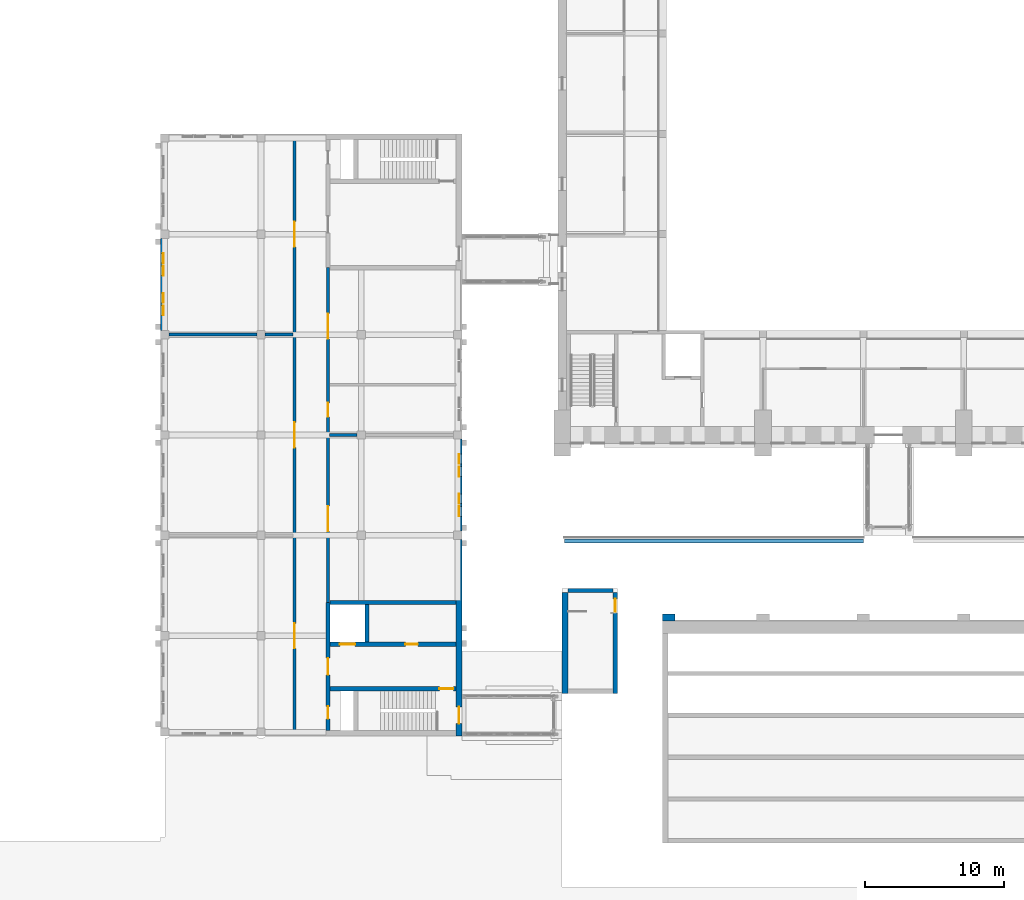
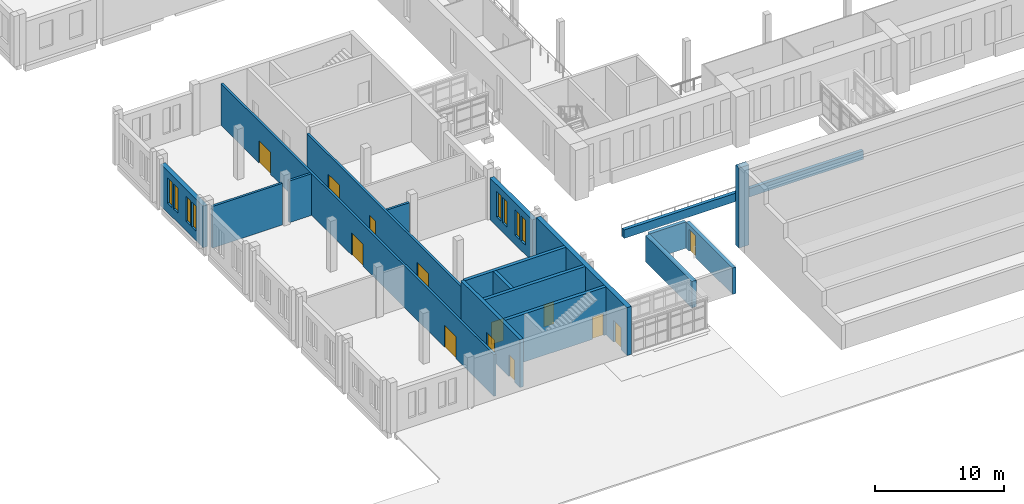
# One storey, part 76 of 131: 18 walls, 13 doors, 8 windows, 21 openings.
"""IFC4 building model written with IfcOpenShell, lengths in metres."""

from ifc_helpers import new_model, si_unit, direction, frame, frame_2d, origin, place, context, subcontext, project, spatial, rectangle, extrude, material, layer, layer_set, type_object, element, fill, save


model = new_model("IFC4")

# Units and contexts
model_context = context("Model", 3, precision=1e-05, world=origin(), true_north=direction((0.0, 1.0)))
body_context = subcontext(model_context, "Body", "Model", "MODEL_VIEW")
ifc_project = project(units=[si_unit("LENGTHUNIT", "METRE"), si_unit("AREAUNIT", "SQUARE_METRE"), si_unit("VOLUMEUNIT", "CUBIC_METRE"), si_unit("PLANEANGLEUNIT", "RADIAN"), si_unit("MASSUNIT", "GRAM", prefix="KILO")], contexts=[model_context])

# Site, building, storey
site_placement = place(None, origin())
site = spatial("IfcSite", under=ifc_project, at=site_placement, CompositionType="ELEMENT")
building_placement = place(site_placement, origin())
building = spatial("IfcBuilding", under=site, at=building_placement, Name="Alderwick Market Hall", CompositionType="ELEMENT")
storey_placement = place(building_placement, frame((0.0, 0.0, 4.800048828125)))
storey = spatial("IfcBuildingStorey", under=building, at=storey_placement, Name="L00", CompositionType="ELEMENT", Elevation=4.800048828125)

# Walls
ifc_material_1 = material(Name="Cast stone 5000 psi", Category="masonry")
ifc_layer_1 = layer(ifc_material_1, 0.300048828125)
ifc_layer_set_1 = layer_set([ifc_layer_1], Name="Cast stone 5000 psi")
wall_type_1 = type_object("IfcWallType", Name="A Cast Stone Balustrade Parapet 300", PredefinedType="SOLIDWALL", material=ifc_layer_set_1)
wall_1_placement = place(storey_placement, frame((50.550048828125, 42.800048828125, 0.0), z_axis=(0.0, 0.0, 1.0), x_axis=(1.0, 0.0, 0.0)))
element("IfcWall", 1, at=wall_1_placement, inside=storey, type_object=wall_type_1, Name="A.S.parapet.00", PredefinedType="SOLIDWALL", context=body_context, shape_type="SweptSolid", body=[
    extrude(rectangle(XDim=21.449951171875, YDim=0.300048828125, at=frame_2d((10.72509765625, 0.0))), origin(), (0.0, 0.0, 1.0), 0.800048828125),
])
ifc_material_2 = material(Name="Concrete 5000 psi (f'c 35 MPa)", Category="concrete")
ifc_layer_2 = layer(ifc_material_2, 0.89990234375)
ifc_layer_set_2 = layer_set([ifc_layer_2], Name="Concrete 5000 psi (f'c 35 MPa)")
wall_type_2 = type_object("IfcWallType", Name="A RC Bank Buttress 900", PredefinedType="SOLIDWALL", material=ifc_layer_set_2)
wall_2_placement = place(storey_placement, frame((58.050048828125, 37.050048828125, 0.0), z_axis=(0.0, 0.0, 1.0), x_axis=(0.0, 1.0, 0.0)))
element("IfcWall", 2, at=wall_2_placement, inside=storey, type_object=wall_type_2, Name="Bank buttress", PredefinedType="SOLIDWALL", context=body_context, shape_type="SweptSolid", body=[
    extrude(rectangle(XDim=0.5, YDim=0.89990234375, at=frame_2d((0.25, 0.0))), origin(), (0.0, 0.0, 1.0), 7.599853515625),
])
ifc_layer_3 = layer(ifc_material_2, 0.39990234375)
ifc_layer_set_3 = layer_set([ifc_layer_3], Name="Concrete 5000 psi (f'c 35 MPa)")
wall_type_3 = type_object("IfcWallType", Name="A RC Head-house End Wall 400", PredefinedType="SHEAR", material=ifc_layer_set_3)
wall_3_placement = place(storey_placement, frame((50.60009765625, 39.10009765625, 0.0), z_axis=(0.0, 0.0, 1.0), x_axis=(0.0, -1.0, 0.0)))
element("IfcWall", 3, at=wall_3_placement, inside=storey, type_object=wall_type_3, Name="A.S.hh.W.out", PredefinedType="SHEAR", context=body_context, shape_type="SweptSolid", body=[
    extrude(rectangle(XDim=7.22021484375, YDim=0.39990234375, at=frame_2d((3.610107421875, 0.0))), origin(), (0.0, 0.0, 1.0), 2.5),
])

# Wall, opening, door
ifc_layer_4 = layer(ifc_material_2, 0.300048828125)
ifc_layer_set_4 = layer_set([ifc_layer_4], Name="Concrete 5000 psi (f'c 35 MPa)")
wall_type_4 = type_object("IfcWallType", Name="A RC Head-house Wall 300", PredefinedType="SHEAR", material=ifc_layer_set_4)
wall_4_placement = place(storey_placement, frame((54.199951171875, 39.10009765625, 0.0), z_axis=(0.0, 0.0, 1.0), x_axis=(0.0, -1.0, 0.0)))
wall_4 = element("IfcWall", 4, at=wall_4_placement, inside=storey, type_object=wall_type_4, Name="A.S.hh.W.in", PredefinedType="SHEAR", context=body_context, shape_type="SweptSolid", body=[
    extrude(rectangle(XDim=7.22021484375, YDim=0.300048828125, at=frame_2d((3.610107421875, 0.0))), origin(), (0.0, 0.0, 1.0), 2.5),
])
opening_1_placement = place(wall_4_placement, frame((0.449951171875, 0.0, 0.0)))
opening_1 = element("IfcOpeningElement", 5, at=opening_1_placement, cuts=wall_4, Name="Opening A-D097", PredefinedType="OPENING", context=body_context, shape_type="SweptSolid", body=[
    extrude(rectangle(XDim=1.0, YDim=2.10009765625, at=frame_2d((0.5, 1.050048828125))), frame((0.0, 0.159912109375, 0.0), z_axis=(0.0, -1.0, 0.0), x_axis=(1.0, 0.0, 0.0)), (0.0, 0.0, 1.0), 0.320068359375),
])
ifc_material_3 = material(Name="Hollow metal fire door and frame")
door_type_1 = type_object("IfcDoorType", Name="A Roof Access Door 1000x2100", OperationType="SINGLE_SWING_LEFT", PredefinedType="DOOR", material=ifc_material_3)
door_1_placement = place(opening_1_placement, origin())
door_1 = element("IfcDoor", 6, at=door_1_placement, inside=storey, type_object=door_type_1, Name="Roof stair head-house door", OperationType="SINGLE_SWING_LEFT", OverallHeight=2.10009765625, OverallWidth=1.0, PredefinedType="DOOR", context=body_context, shape_type="SweptSolid", body=[
    extrude(rectangle(XDim=1.0, YDim=2.10009765625, at=frame_2d((0.5, 1.050048828125))), frame((0.0, 0.02490234375, 0.0), z_axis=(0.0, -1.0, 0.0), x_axis=(1.0, 0.0, 0.0)), (0.0, 0.0, 1.0), 0.050048828125),
])
fill(opening_1, door_1)

# Wall
wall_5_placement = place(storey_placement, frame((50.800048828125, 39.25, 0.0), z_axis=(0.0, 0.0, 1.0), x_axis=(1.0, 0.0, 0.0)))
element("IfcWall", 7, at=wall_5_placement, inside=storey, type_object=wall_type_4, Name="A.S.hh.W.s", PredefinedType="SHEAR", context=body_context, shape_type="SweptSolid", body=[
    extrude(rectangle(XDim=3.25, YDim=0.300048828125, at=frame_2d((1.625, 0.0))), origin(), (0.0, 0.0, 1.0), 2.5),
])

# Wall, openings, windows
ifc_material_4 = material(Name="Face brick", Category="masonry")
ifc_layer_5 = layer(ifc_material_4, 0.39990234375)
ifc_layer_set_5 = layer_set([ifc_layer_5], Name="Face brick")
wall_type_5 = type_object("IfcWallType", Name="B Brick Cavity Wall 400", PredefinedType="SOLIDWALL", material=ifc_layer_set_5)
wall_6_placement = place(storey_placement, frame((21.800048828125, 57.89990234375, 0.0), z_axis=(0.0, 0.0, 1.0), x_axis=(0.0, 1.0, 0.0)))
wall_6 = element("IfcWall", 8, at=wall_6_placement, inside=storey, type_object=wall_type_5, Name="B.S.wall.L00.020", PredefinedType="SOLIDWALL", context=body_context, shape_type="SweptSolid", body=[
    extrude(rectangle(XDim=6.60009765625, YDim=0.39990234375, at=frame_2d((3.300048828125, 0.0))), origin(), (0.0, 0.0, 1.0), 3.949951171875),
])
opening_2_placement = place(wall_6_placement, frame((1.074951171875, 0.0, 0.89990234375)))
opening_2 = element("IfcOpeningElement", 9, at=opening_2_placement, cuts=wall_6, Name="Opening B-W098", PredefinedType="OPENING", context=body_context, shape_type="SweptSolid", body=[
    extrude(rectangle(XDim=0.699951171875, YDim=2.39990234375, at=frame_2d((0.35009765625, 1.199951171875))), frame((0.0, 0.2099609375, 0.0), z_axis=(0.0, -1.0, 0.0), x_axis=(1.0, 0.0, 0.0)), (0.0, 0.0, 1.0), 0.419921875),
])
opening_3_placement = place(wall_6_placement, frame((1.97509765625, 0.0, 0.89990234375)))
opening_3 = element("IfcOpeningElement", 10, at=opening_3_placement, cuts=wall_6, Name="Opening B-W099", PredefinedType="OPENING", context=body_context, shape_type="SweptSolid", body=[
    extrude(rectangle(XDim=0.699951171875, YDim=2.39990234375, at=frame_2d((0.35009765625, 1.199951171875))), frame((0.0, 0.2099609375, 0.0), z_axis=(0.0, -1.0, 0.0), x_axis=(1.0, 0.0, 0.0)), (0.0, 0.0, 1.0), 0.419921875),
])
opening_4_placement = place(wall_6_placement, frame((3.925048828125, 0.0, 0.89990234375)))
opening_4 = element("IfcOpeningElement", 11, at=opening_4_placement, cuts=wall_6, Name="Opening B-W100", PredefinedType="OPENING", context=body_context, shape_type="SweptSolid", body=[
    extrude(rectangle(XDim=0.699951171875, YDim=2.39990234375, at=frame_2d((0.35009765625, 1.199951171875))), frame((0.0, 0.2099609375, 0.0), z_axis=(0.0, -1.0, 0.0), x_axis=(1.0, 0.0, 0.0)), (0.0, 0.0, 1.0), 0.419921875),
])
opening_5_placement = place(wall_6_placement, frame((4.824951171875, 0.0, 0.89990234375)))
opening_5 = element("IfcOpeningElement", 12, at=opening_5_placement, cuts=wall_6, Name="Opening B-W101", PredefinedType="OPENING", context=body_context, shape_type="SweptSolid", body=[
    extrude(rectangle(XDim=0.699951171875, YDim=2.39990234375, at=frame_2d((0.35009765625, 1.199951171875))), frame((0.0, 0.2099609375, 0.0), z_axis=(0.0, -1.0, 0.0), x_axis=(1.0, 0.0, 0.0)), (0.0, 0.0, 1.0), 0.419921875),
])
ifc_material_5 = material(Name="Aluminium frame", Category="aluminium")
window_type = type_object("IfcWindowType", Name="B Piano Nobile Window 700x2400", PartitioningType="SINGLE_PANEL", PredefinedType="WINDOW", material=ifc_material_5)
window_1_placement = place(opening_2_placement, origin())
window_1 = element("IfcWindow", 13, at=window_1_placement, inside=storey, type_object=window_type, Name="Window B-W098", OverallHeight=2.39990234375, OverallWidth=0.699951171875, PartitioningType="SINGLE_PANEL", PredefinedType="WINDOW", context=body_context, shape_type="SweptSolid", body=[
    extrude(rectangle(XDim=0.699951171875, YDim=2.39990234375, at=frame_2d((0.35009765625, 1.199951171875))), frame((0.0, 0.030029296875, 0.0), z_axis=(0.0, -1.0, 0.0), x_axis=(1.0, 0.0, 0.0)), (0.0, 0.0, 1.0), 0.06005859375),
])
fill(opening_2, window_1)
window_2_placement = place(opening_3_placement, origin())
window_2 = element("IfcWindow", 14, at=window_2_placement, inside=storey, type_object=window_type, Name="Window B-W099", OverallHeight=2.39990234375, OverallWidth=0.699951171875, PartitioningType="SINGLE_PANEL", PredefinedType="WINDOW", context=body_context, shape_type="SweptSolid", body=[
    extrude(rectangle(XDim=0.699951171875, YDim=2.39990234375, at=frame_2d((0.35009765625, 1.199951171875))), frame((0.0, 0.030029296875, 0.0), z_axis=(0.0, -1.0, 0.0), x_axis=(1.0, 0.0, 0.0)), (0.0, 0.0, 1.0), 0.06005859375),
])
fill(opening_3, window_2)
window_3_placement = place(opening_4_placement, origin())
window_3 = element("IfcWindow", 15, at=window_3_placement, inside=storey, type_object=window_type, Name="Window B-W100", OverallHeight=2.39990234375, OverallWidth=0.699951171875, PartitioningType="SINGLE_PANEL", PredefinedType="WINDOW", context=body_context, shape_type="SweptSolid", body=[
    extrude(rectangle(XDim=0.699951171875, YDim=2.39990234375, at=frame_2d((0.35009765625, 1.199951171875))), frame((0.0, 0.030029296875, 0.0), z_axis=(0.0, -1.0, 0.0), x_axis=(1.0, 0.0, 0.0)), (0.0, 0.0, 1.0), 0.06005859375),
])
fill(opening_4, window_3)
window_4_placement = place(opening_5_placement, origin())
window_4 = element("IfcWindow", 16, at=window_4_placement, inside=storey, type_object=window_type, Name="Window B-W101", OverallHeight=2.39990234375, OverallWidth=0.699951171875, PartitioningType="SINGLE_PANEL", PredefinedType="WINDOW", context=body_context, shape_type="SweptSolid", body=[
    extrude(rectangle(XDim=0.699951171875, YDim=2.39990234375, at=frame_2d((0.35009765625, 1.199951171875))), frame((0.0, 0.030029296875, 0.0), z_axis=(0.0, -1.0, 0.0), x_axis=(1.0, 0.0, 0.0)), (0.0, 0.0, 1.0), 0.06005859375),
])
fill(opening_5, window_4)

wall_7_placement = place(storey_placement, frame((43.0, 43.5, 0.0), z_axis=(0.0, 0.0, 1.0), x_axis=(0.0, 1.0, 0.0)))
wall_7 = element("IfcWall", 17, at=wall_7_placement, inside=storey, type_object=wall_type_5, Name="B.S.wall.L00.030", PredefinedType="SOLIDWALL", context=body_context, shape_type="SweptSolid", body=[
    extrude(rectangle(XDim=6.60009765625, YDim=0.39990234375, at=frame_2d((3.300048828125, 0.0))), origin(), (0.0, 0.0, 1.0), 3.949951171875),
])
opening_6_placement = place(wall_7_placement, frame((1.074951171875, 0.0, 0.89990234375)))
opening_6 = element("IfcOpeningElement", 18, at=opening_6_placement, cuts=wall_7, Name="Opening B-W106", PredefinedType="OPENING", context=body_context, shape_type="SweptSolid", body=[
    extrude(rectangle(XDim=0.699951171875, YDim=2.39990234375, at=frame_2d((0.35009765625, 1.199951171875))), frame((0.0, 0.2099609375, 0.0), z_axis=(0.0, -1.0, 0.0), x_axis=(1.0, 0.0, 0.0)), (0.0, 0.0, 1.0), 0.419921875),
])
opening_7_placement = place(wall_7_placement, frame((1.97509765625, 0.0, 0.89990234375)))
opening_7 = element("IfcOpeningElement", 19, at=opening_7_placement, cuts=wall_7, Name="Opening B-W107", PredefinedType="OPENING", context=body_context, shape_type="SweptSolid", body=[
    extrude(rectangle(XDim=0.699951171875, YDim=2.39990234375, at=frame_2d((0.35009765625, 1.199951171875))), frame((0.0, 0.2099609375, 0.0), z_axis=(0.0, -1.0, 0.0), x_axis=(1.0, 0.0, 0.0)), (0.0, 0.0, 1.0), 0.419921875),
])
opening_8_placement = place(wall_7_placement, frame((3.925048828125, 0.0, 0.89990234375)))
opening_8 = element("IfcOpeningElement", 20, at=opening_8_placement, cuts=wall_7, Name="Opening B-W108", PredefinedType="OPENING", context=body_context, shape_type="SweptSolid", body=[
    extrude(rectangle(XDim=0.699951171875, YDim=2.39990234375, at=frame_2d((0.35009765625, 1.199951171875))), frame((0.0, 0.2099609375, 0.0), z_axis=(0.0, -1.0, 0.0), x_axis=(1.0, 0.0, 0.0)), (0.0, 0.0, 1.0), 0.419921875),
])
opening_9_placement = place(wall_7_placement, frame((4.824951171875, 0.0, 0.89990234375)))
opening_9 = element("IfcOpeningElement", 21, at=opening_9_placement, cuts=wall_7, Name="Opening B-W109", PredefinedType="OPENING", context=body_context, shape_type="SweptSolid", body=[
    extrude(rectangle(XDim=0.699951171875, YDim=2.39990234375, at=frame_2d((0.35009765625, 1.199951171875))), frame((0.0, 0.2099609375, 0.0), z_axis=(0.0, -1.0, 0.0), x_axis=(1.0, 0.0, 0.0)), (0.0, 0.0, 1.0), 0.419921875),
])
window_5_placement = place(opening_6_placement, origin())
window_5 = element("IfcWindow", 22, at=window_5_placement, inside=storey, type_object=window_type, Name="Window B-W106", OverallHeight=2.39990234375, OverallWidth=0.699951171875, PartitioningType="SINGLE_PANEL", PredefinedType="WINDOW", context=body_context, shape_type="SweptSolid", body=[
    extrude(rectangle(XDim=0.699951171875, YDim=2.39990234375, at=frame_2d((0.35009765625, 1.199951171875))), frame((0.0, 0.030029296875, 0.0), z_axis=(0.0, -1.0, 0.0), x_axis=(1.0, 0.0, 0.0)), (0.0, 0.0, 1.0), 0.06005859375),
])
fill(opening_6, window_5)
window_6_placement = place(opening_7_placement, origin())
window_6 = element("IfcWindow", 23, at=window_6_placement, inside=storey, type_object=window_type, Name="Window B-W107", OverallHeight=2.39990234375, OverallWidth=0.699951171875, PartitioningType="SINGLE_PANEL", PredefinedType="WINDOW", context=body_context, shape_type="SweptSolid", body=[
    extrude(rectangle(XDim=0.699951171875, YDim=2.39990234375, at=frame_2d((0.35009765625, 1.199951171875))), frame((0.0, 0.030029296875, 0.0), z_axis=(0.0, -1.0, 0.0), x_axis=(1.0, 0.0, 0.0)), (0.0, 0.0, 1.0), 0.06005859375),
])
fill(opening_7, window_6)
window_7_placement = place(opening_8_placement, origin())
window_7 = element("IfcWindow", 24, at=window_7_placement, inside=storey, type_object=window_type, Name="Window B-W108", OverallHeight=2.39990234375, OverallWidth=0.699951171875, PartitioningType="SINGLE_PANEL", PredefinedType="WINDOW", context=body_context, shape_type="SweptSolid", body=[
    extrude(rectangle(XDim=0.699951171875, YDim=2.39990234375, at=frame_2d((0.35009765625, 1.199951171875))), frame((0.0, 0.030029296875, 0.0), z_axis=(0.0, -1.0, 0.0), x_axis=(1.0, 0.0, 0.0)), (0.0, 0.0, 1.0), 0.06005859375),
])
fill(opening_8, window_7)
window_8_placement = place(opening_9_placement, origin())
window_8 = element("IfcWindow", 25, at=window_8_placement, inside=storey, type_object=window_type, Name="Window B-W109", OverallHeight=2.39990234375, OverallWidth=0.699951171875, PartitioningType="SINGLE_PANEL", PredefinedType="WINDOW", context=body_context, shape_type="SweptSolid", body=[
    extrude(rectangle(XDim=0.699951171875, YDim=2.39990234375, at=frame_2d((0.35009765625, 1.199951171875))), frame((0.0, 0.030029296875, 0.0), z_axis=(0.0, -1.0, 0.0), x_axis=(1.0, 0.0, 0.0)), (0.0, 0.0, 1.0), 0.06005859375),
])
fill(opening_9, window_8)

# Walls
ifc_material_6 = material(Name="Concrete masonry 3000 psi", Category="masonry")
ifc_layer_6 = layer(ifc_material_6, 0.199951171875)
ifc_layer_set_6 = layer_set([ifc_layer_6], Name="Concrete masonry 3000 psi")
wall_type_6 = type_object("IfcWallType", Name="B Masonry Partition 200", PredefinedType="PARTITIONING", material=ifc_layer_set_6)
wall_8_placement = place(storey_placement, frame((33.699951171875, 50.39990234375, 0.0), z_axis=(0.0, 0.0, 1.0), x_axis=(1.0, 0.0, 0.0)))
element("IfcWall", 26, at=wall_8_placement, inside=storey, type_object=wall_type_6, Name="B.S.wall.L00.007", PredefinedType="PARTITIONING", context=body_context, shape_type="SweptSolid", body=[
    extrude(rectangle(XDim=2.0, YDim=0.199951171875, at=frame_2d((1.0, 0.0))), origin(), (0.0, 0.0, 1.0), 3.949951171875),
])
wall_9_placement = place(storey_placement, frame((22.199951171875, 57.60009765625, 0.0), z_axis=(0.0, 0.0, 1.0), x_axis=(1.0, 0.0, 0.0)))
element("IfcWall", 27, at=wall_9_placement, inside=storey, type_object=wall_type_6, Name="B.S.wall.L00.010", PredefinedType="PARTITIONING", context=body_context, shape_type="SweptSolid", body=[
    extrude(rectangle(XDim=6.300048828125, YDim=0.199951171875, at=frame_2d((3.14990234375, 0.0))), origin(), (0.0, 0.0, 1.0), 3.949951171875),
])
wall_10_placement = place(storey_placement, frame((29.10009765625, 57.60009765625, 0.0), z_axis=(0.0, 0.0, 1.0), x_axis=(1.0, 0.0, 0.0)))
element("IfcWall", 28, at=wall_10_placement, inside=storey, type_object=wall_type_6, Name="B.S.wall.L00.011", PredefinedType="PARTITIONING", context=body_context, shape_type="SweptSolid", body=[
    extrude(rectangle(XDim=2.0, YDim=0.199951171875, at=frame_2d((1.0, 0.0))), origin(), (0.0, 0.0, 1.0), 3.949951171875),
])

# Wall, openings, doors
wall_11_placement = place(storey_placement, frame((31.199951171875, 29.199951171875, 0.0), z_axis=(0.0, 0.0, 1.0), x_axis=(0.0, 1.0, 0.0)))
wall_11 = element("IfcWall", 29, at=wall_11_placement, inside=storey, type_object=wall_type_6, Name="B.S.wall.L00.022", PredefinedType="PARTITIONING", context=body_context, shape_type="SweptSolid", body=[
    extrude(rectangle(XDim=42.400146484375, YDim=0.199951171875, at=frame_2d((21.2001953125, 0.0))), origin(), (0.0, 0.0, 1.0), 3.949951171875),
])
opening_10_placement = place(wall_11_placement, frame((5.89990234375, 0.0, 0.0)))
opening_10 = element("IfcOpeningElement", 30, at=opening_10_placement, cuts=wall_11, Name="Opening B-D098", PredefinedType="OPENING", context=body_context, shape_type="SweptSolid", body=[
    extrude(rectangle(XDim=1.800048828125, YDim=2.10009765625, at=frame_2d((0.89990234375, 1.050048828125))), frame((0.0, 0.10986328125, 0.0), z_axis=(0.0, -1.0, 0.0), x_axis=(1.0, 0.0, 0.0)), (0.0, 0.0, 1.0), 0.219970703125),
])
opening_11_placement = place(wall_11_placement, frame((20.300048828125, 0.0, 0.0)))
opening_11 = element("IfcOpeningElement", 31, at=opening_11_placement, cuts=wall_11, Name="Opening B-D099", PredefinedType="OPENING", context=body_context, shape_type="SweptSolid", body=[
    extrude(rectangle(XDim=1.800048828125, YDim=2.10009765625, at=frame_2d((0.89990234375, 1.050048828125))), frame((0.0, 0.10986328125, 0.0), z_axis=(0.0, -1.0, 0.0), x_axis=(1.0, 0.0, 0.0)), (0.0, 0.0, 1.0), 0.219970703125),
])
opening_12_placement = place(wall_11_placement, frame((34.699951171875, 0.0, 0.0)))
opening_12 = element("IfcOpeningElement", 32, at=opening_12_placement, cuts=wall_11, Name="Opening B-D100", PredefinedType="OPENING", context=body_context, shape_type="SweptSolid", body=[
    extrude(rectangle(XDim=1.800048828125, YDim=2.10009765625, at=frame_2d((0.89990234375, 1.050048828125))), frame((0.0, 0.10986328125, 0.0), z_axis=(0.0, -1.0, 0.0), x_axis=(1.0, 0.0, 0.0)), (0.0, 0.0, 1.0), 0.219970703125),
])
ifc_material_7 = material(Name="Hollow metal door and frame")
door_type_2 = type_object("IfcDoorType", Name="B Double Door 1800x2100", OperationType="DOUBLE_DOOR_DOUBLE_SWING", PredefinedType="DOOR", material=ifc_material_7)
door_2_placement = place(opening_10_placement, origin())
door_2 = element("IfcDoor", 33, at=door_2_placement, inside=storey, type_object=door_type_2, Name="Packing Room door", OperationType="DOUBLE_DOOR_DOUBLE_SWING", OverallHeight=2.10009765625, OverallWidth=1.800048828125, PredefinedType="DOOR", context=body_context, shape_type="SweptSolid", body=[
    extrude(rectangle(XDim=1.800048828125, YDim=2.10009765625, at=frame_2d((0.89990234375, 1.050048828125))), frame((0.0, 0.02490234375, 0.0), z_axis=(0.0, -1.0, 0.0), x_axis=(1.0, 0.0, 0.0)), (0.0, 0.0, 1.0), 0.050048828125),
])
fill(opening_10, door_2)
door_3_placement = place(opening_11_placement, origin())
door_3 = element("IfcDoor", 34, at=door_3_placement, inside=storey, type_object=door_type_2, Name="Production Bakery door", OperationType="DOUBLE_DOOR_DOUBLE_SWING", OverallHeight=2.10009765625, OverallWidth=1.800048828125, PredefinedType="DOOR", context=body_context, shape_type="SweptSolid", body=[
    extrude(rectangle(XDim=1.800048828125, YDim=2.10009765625, at=frame_2d((0.89990234375, 1.050048828125))), frame((0.0, 0.02490234375, 0.0), z_axis=(0.0, -1.0, 0.0), x_axis=(1.0, 0.0, 0.0)), (0.0, 0.0, 1.0), 0.050048828125),
])
fill(opening_11, door_3)
door_4_placement = place(opening_12_placement, origin())
door_4 = element("IfcDoor", 35, at=door_4_placement, inside=storey, type_object=door_type_2, Name="Repair Workshop door", OperationType="DOUBLE_DOOR_DOUBLE_SWING", OverallHeight=2.10009765625, OverallWidth=1.800048828125, PredefinedType="DOOR", context=body_context, shape_type="SweptSolid", body=[
    extrude(rectangle(XDim=1.800048828125, YDim=2.10009765625, at=frame_2d((0.89990234375, 1.050048828125))), frame((0.0, 0.02490234375, 0.0), z_axis=(0.0, -1.0, 0.0), x_axis=(1.0, 0.0, 0.0)), (0.0, 0.0, 1.0), 0.050048828125),
])
fill(opening_12, door_4)

wall_12_placement = place(storey_placement, frame((33.60009765625, 38.39990234375, 0.0), z_axis=(0.0, 0.0, 1.0), x_axis=(0.0, 1.0, 0.0)))
wall_12 = element("IfcWall", 36, at=wall_12_placement, inside=storey, type_object=wall_type_6, Name="B.S.wall.L00.024", PredefinedType="PARTITIONING", context=body_context, shape_type="SweptSolid", body=[
    extrude(rectangle(XDim=24.0, YDim=0.199951171875, at=frame_2d((12.0, 0.0))), origin(), (0.0, 0.0, 1.0), 3.949951171875),
])
opening_13_placement = place(wall_12_placement, frame((5.10009765625, 0.0, 0.0)))
opening_13 = element("IfcOpeningElement", 37, at=opening_13_placement, cuts=wall_12, Name="Opening B-D101", PredefinedType="OPENING", context=body_context, shape_type="SweptSolid", body=[
    extrude(rectangle(XDim=1.800048828125, YDim=2.10009765625, at=frame_2d((0.89990234375, 1.050048828125))), frame((0.0, 0.10986328125, 0.0), z_axis=(0.0, -1.0, 0.0), x_axis=(1.0, 0.0, 0.0)), (0.0, 0.0, 1.0), 0.219970703125),
])
opening_14_placement = place(wall_12_placement, frame((13.300048828125, 0.0, 0.0)))
opening_14 = element("IfcOpeningElement", 38, at=opening_14_placement, cuts=wall_12, Name="Opening B-D102", PredefinedType="OPENING", context=body_context, shape_type="SweptSolid", body=[
    extrude(rectangle(XDim=1.0, YDim=2.10009765625, at=frame_2d((0.5, 1.050048828125))), frame((0.0, 0.10986328125, 0.0), z_axis=(0.0, -1.0, 0.0), x_axis=(1.0, 0.0, 0.0)), (0.0, 0.0, 1.0), 0.219970703125),
])
opening_15_placement = place(wall_12_placement, frame((18.89990234375, 0.0, 0.0)))
opening_15 = element("IfcOpeningElement", 39, at=opening_15_placement, cuts=wall_12, Name="Opening B-D103", PredefinedType="OPENING", context=body_context, shape_type="SweptSolid", body=[
    extrude(rectangle(XDim=1.800048828125, YDim=2.10009765625, at=frame_2d((0.89990234375, 1.050048828125))), frame((0.0, 0.10986328125, 0.0), z_axis=(0.0, -1.0, 0.0), x_axis=(1.0, 0.0, 0.0)), (0.0, 0.0, 1.0), 0.219970703125),
])
door_type_3 = type_object("IfcDoorType", Name="B Door 1000x2100", OperationType="SINGLE_SWING_LEFT", PredefinedType="DOOR", material=ifc_material_7)
door_5_placement = place(opening_14_placement, origin())
door_5 = element("IfcDoor", 40, at=door_5_placement, inside=storey, type_object=door_type_3, Name="Staff WC door", OperationType="SINGLE_SWING_RIGHT", OverallHeight=2.10009765625, OverallWidth=1.0, PredefinedType="DOOR", context=body_context, shape_type="SweptSolid", body=[
    extrude(rectangle(XDim=1.0, YDim=2.10009765625, at=frame_2d((0.5, 1.050048828125))), frame((0.0, 0.02490234375, 0.0), z_axis=(0.0, -1.0, 0.0), x_axis=(1.0, 0.0, 0.0)), (0.0, 0.0, 1.0), 0.050048828125),
])
fill(opening_14, door_5)
door_6_placement = place(opening_13_placement, origin())
door_6 = element("IfcDoor", 41, at=door_6_placement, inside=storey, type_object=door_type_2, Name="Butchery Workshop door", OperationType="DOUBLE_DOOR_DOUBLE_SWING", OverallHeight=2.10009765625, OverallWidth=1.800048828125, PredefinedType="DOOR", context=body_context, shape_type="SweptSolid", body=[
    extrude(rectangle(XDim=1.800048828125, YDim=2.10009765625, at=frame_2d((0.89990234375, 1.050048828125))), frame((0.0, 0.02490234375, 0.0), z_axis=(0.0, -1.0, 0.0), x_axis=(1.0, 0.0, 0.0)), (0.0, 0.0, 1.0), 0.050048828125),
])
fill(opening_13, door_6)
door_7_placement = place(opening_15_placement, origin())
door_7 = element("IfcDoor", 42, at=door_7_placement, inside=storey, type_object=door_type_2, Name="Dry Store door", OperationType="DOUBLE_DOOR_DOUBLE_SWING", OverallHeight=2.10009765625, OverallWidth=1.800048828125, PredefinedType="DOOR", context=body_context, shape_type="SweptSolid", body=[
    extrude(rectangle(XDim=1.800048828125, YDim=2.10009765625, at=frame_2d((0.89990234375, 1.050048828125))), frame((0.0, 0.02490234375, 0.0), z_axis=(0.0, -1.0, 0.0), x_axis=(1.0, 0.0, 0.0)), (0.0, 0.0, 1.0), 0.050048828125),
])
fill(opening_15, door_7)

# Wall, opening, door
ifc_layer_7 = layer(ifc_material_2, 0.39990234375)
ifc_layer_set_7 = layer_set([ifc_layer_7], Name="Concrete 5000 psi (f'c 35 MPa)")
wall_type_7 = type_object("IfcWallType", Name="B RC Core Facade Wall 400", PredefinedType="SHEAR", material=ifc_layer_set_7)
wall_13_placement = place(storey_placement, frame((43.0, 28.800048828125, 0.0), z_axis=(0.0, 0.0, 1.0), x_axis=(0.0, 1.0, 0.0)))
wall_13 = element("IfcWall", 43, at=wall_13_placement, inside=storey, type_object=wall_type_7, Name="B.S.wall.L00.029", PredefinedType="SHEAR", context=body_context, shape_type="SweptSolid", body=[
    extrude(rectangle(XDim=14.099853515625, YDim=0.39990234375, at=frame_2d((7.0498046875, 0.0))), origin(), (0.0, 0.0, 1.0), 4.550048828125),
])
opening_16_placement = place(wall_13_placement, frame((0.89990234375, 0.0, 0.0)))
opening_16 = element("IfcOpeningElement", 44, at=opening_16_placement, cuts=wall_13, Name="Opening B-D017", PredefinedType="OPENING", context=body_context, shape_type="SweptSolid", body=[
    extrude(rectangle(XDim=1.199951171875, YDim=2.10009765625, at=frame_2d((0.60009765625, 1.050048828125))), frame((0.0, 0.2099609375, 0.0), z_axis=(0.0, -1.0, 0.0), x_axis=(1.0, 0.0, 0.0)), (0.0, 0.0, 1.0), 0.419921875),
])
door_type_4 = type_object("IfcDoorType", Name="B Fire Door 1200x2100", OperationType="SINGLE_SWING_LEFT", PredefinedType="DOOR", material=ifc_material_3)
door_8_placement = place(opening_16_placement, origin())
door_8 = element("IfcDoor", 45, at=door_8_placement, inside=storey, type_object=door_type_4, Name="Passage door S-1", OperationType="SINGLE_SWING_LEFT", OverallHeight=2.10009765625, OverallWidth=1.199951171875, PredefinedType="DOOR", context=body_context, shape_type="SweptSolid", body=[
    extrude(rectangle(XDim=1.199951171875, YDim=2.10009765625, at=frame_2d((0.60009765625, 1.050048828125))), frame((0.0, 0.02490234375, 0.0), z_axis=(0.0, -1.0, 0.0), x_axis=(1.0, 0.0, 0.0)), (0.0, 0.0, 1.0), 0.050048828125),
])
fill(opening_16, door_8)

ifc_layer_8 = layer(ifc_material_2, 0.300048828125)
ifc_layer_set_8 = layer_set([ifc_layer_8], Name="Concrete 5000 psi (f'c 35 MPa)")
wall_type_8 = type_object("IfcWallType", Name="B RC Core Wall 300", PredefinedType="SHEAR", material=ifc_layer_set_8)
wall_14_placement = place(storey_placement, frame((33.75, 32.199951171875, 0.0), z_axis=(0.0, 0.0, 1.0), x_axis=(1.0, 0.0, 0.0)))
wall_14 = element("IfcWall", 46, at=wall_14_placement, inside=storey, type_object=wall_type_8, Name="B.S.wall.L00.002", PredefinedType="SHEAR", context=body_context, shape_type="SweptSolid", body=[
    extrude(rectangle(XDim=9.050048828125, YDim=0.300048828125, at=frame_2d((4.52490234375, 0.0))), origin(), (0.0, 0.0, 1.0), 4.550048828125),
])
opening_17_placement = place(wall_14_placement, frame((7.85009765625, 0.0, 0.0)))
opening_17 = element("IfcOpeningElement", 47, at=opening_17_placement, cuts=wall_14, Name="Opening B-D104", PredefinedType="OPENING", context=body_context, shape_type="SweptSolid", body=[
    extrude(rectangle(XDim=1.0, YDim=2.10009765625, at=frame_2d((0.5, 1.050048828125))), frame((0.0, 0.159912109375, 0.0), z_axis=(0.0, -1.0, 0.0), x_axis=(1.0, 0.0, 0.0)), (0.0, 0.0, 1.0), 0.320068359375),
])
door_type_5 = type_object("IfcDoorType", Name="B Fire Door 1000x2100", OperationType="SINGLE_SWING_LEFT", PredefinedType="DOOR", material=ifc_material_3)
door_9_placement = place(opening_17_placement, origin())
door_9 = element("IfcDoor", 48, at=door_9_placement, inside=storey, type_object=door_type_5, Name="Stair S-1 lobby door", OperationType="SINGLE_SWING_RIGHT", OverallHeight=2.10009765625, OverallWidth=1.0, PredefinedType="DOOR", context=body_context, shape_type="SweptSolid", body=[
    extrude(rectangle(XDim=1.0, YDim=2.10009765625, at=frame_2d((0.5, 1.050048828125))), frame((0.0, 0.02490234375, 0.0), z_axis=(0.0, -1.0, 0.0), x_axis=(1.0, 0.0, 0.0)), (0.0, 0.0, 1.0), 0.050048828125),
])
fill(opening_17, door_9)

# Wall, openings, doors
wall_15_placement = place(storey_placement, frame((33.75, 35.39990234375, 0.0), z_axis=(0.0, 0.0, 1.0), x_axis=(1.0, 0.0, 0.0)))
wall_15 = element("IfcWall", 49, at=wall_15_placement, inside=storey, type_object=wall_type_8, Name="B.S.wall.L00.003", PredefinedType="SHEAR", context=body_context, shape_type="SweptSolid", body=[
    extrude(rectangle(XDim=9.050048828125, YDim=0.300048828125, at=frame_2d((4.52490234375, 0.0))), origin(), (0.0, 0.0, 1.0), 4.550048828125),
])
opening_18_placement = place(wall_15_placement, frame((0.699951171875, 0.0, 0.0)))
opening_18 = element("IfcOpeningElement", 50, at=opening_18_placement, cuts=wall_15, Name="Opening B-D107", PredefinedType="OPENING", context=body_context, shape_type="SweptSolid", body=[
    extrude(rectangle(XDim=1.10009765625, YDim=2.10009765625, at=frame_2d((0.550048828125, 1.050048828125))), frame((0.0, 0.159912109375, 0.0), z_axis=(0.0, -1.0, 0.0), x_axis=(1.0, 0.0, 0.0)), (0.0, 0.0, 1.0), 0.320068359375),
])
opening_19_placement = place(wall_15_placement, frame((5.39990234375, 0.0, 0.0)))
opening_19 = element("IfcOpeningElement", 51, at=opening_19_placement, cuts=wall_15, Name="Opening B-D108", PredefinedType="OPENING", context=body_context, shape_type="SweptSolid", body=[
    extrude(rectangle(XDim=0.89990234375, YDim=2.10009765625, at=frame_2d((0.449951171875, 1.050048828125))), frame((0.0, 0.159912109375, 0.0), z_axis=(0.0, -1.0, 0.0), x_axis=(1.0, 0.0, 0.0)), (0.0, 0.0, 1.0), 0.320068359375),
])
door_type_6 = type_object("IfcDoorType", Name="B Door 900x2100", OperationType="SINGLE_SWING_LEFT", PredefinedType="DOOR", material=ifc_material_7)
door_10_placement = place(opening_19_placement, origin())
door_10 = element("IfcDoor", 52, at=door_10_placement, inside=storey, type_object=door_type_6, Name="Cleaners store door", OperationType="SINGLE_SWING_RIGHT", OverallHeight=2.10009765625, OverallWidth=0.89990234375, PredefinedType="DOOR", context=body_context, shape_type="SweptSolid", body=[
    extrude(rectangle(XDim=0.89990234375, YDim=2.10009765625, at=frame_2d((0.449951171875, 1.050048828125))), frame((0.0, 0.02490234375, 0.0), z_axis=(0.0, -1.0, 0.0), x_axis=(1.0, 0.0, 0.0)), (0.0, 0.0, 1.0), 0.050048828125),
])
fill(opening_19, door_10)
ifc_material_8 = material(Name="Stainless steel landing door", Category="steel")
door_type_7 = type_object("IfcDoorType", Name="B Lift Landing Door 1100x2100", OperationType="SLIDING_TO_LEFT", PredefinedType="DOOR", material=ifc_material_8)
door_11_placement = place(opening_18_placement, origin())
door_11 = element("IfcDoor", 53, at=door_11_placement, inside=storey, type_object=door_type_7, Name="Lift S-1 landing door L00", OperationType="SLIDING_TO_LEFT", OverallHeight=2.10009765625, OverallWidth=1.10009765625, PredefinedType="DOOR", context=body_context, shape_type="SweptSolid", body=[
    extrude(rectangle(XDim=1.10009765625, YDim=2.10009765625, at=frame_2d((0.550048828125, 1.050048828125))), frame((0.0, 0.02490234375, 0.0), z_axis=(0.0, -1.0, 0.0), x_axis=(1.0, 0.0, 0.0)), (0.0, 0.0, 1.0), 0.050048828125),
])
fill(opening_18, door_11)

# Wall
wall_16_placement = place(storey_placement, frame((33.75, 38.39990234375, 0.0), z_axis=(0.0, 0.0, 1.0), x_axis=(1.0, 0.0, 0.0)))
element("IfcWall", 54, at=wall_16_placement, inside=storey, type_object=wall_type_8, Name="B.S.wall.L00.004", PredefinedType="SHEAR", context=body_context, shape_type="SweptSolid", body=[
    extrude(rectangle(XDim=9.050048828125, YDim=0.300048828125, at=frame_2d((4.52490234375, 0.0))), origin(), (0.0, 0.0, 1.0), 4.550048828125),
])

# Wall, openings, doors
wall_17_placement = place(storey_placement, frame((33.60009765625, 29.199951171875, 0.0), z_axis=(0.0, 0.0, 1.0), x_axis=(0.0, 1.0, 0.0)))
wall_17 = element("IfcWall", 55, at=wall_17_placement, inside=storey, type_object=wall_type_8, Name="B.S.wall.L00.023", PredefinedType="SHEAR", context=body_context, shape_type="SweptSolid", body=[
    extrude(rectangle(XDim=9.199951171875, YDim=0.300048828125, at=frame_2d((4.60009765625, 0.0))), origin(), (0.0, 0.0, 1.0), 4.550048828125),
])
opening_20_placement = place(wall_17_placement, frame((4.0, 0.0, 0.0)))
opening_20 = element("IfcOpeningElement", 56, at=opening_20_placement, cuts=wall_17, Name="Opening B-D105", PredefinedType="OPENING", context=body_context, shape_type="SweptSolid", body=[
    extrude(rectangle(XDim=1.199951171875, YDim=2.10009765625, at=frame_2d((0.60009765625, 1.050048828125))), frame((0.0, 0.159912109375, 0.0), z_axis=(0.0, -1.0, 0.0), x_axis=(1.0, 0.0, 0.0)), (0.0, 0.0, 1.0), 0.320068359375),
])
opening_21_placement = place(wall_17_placement, frame((0.85009765625, 0.0, 0.0)))
opening_21 = element("IfcOpeningElement", 57, at=opening_21_placement, cuts=wall_17, Name="Opening B-D106", PredefinedType="OPENING", context=body_context, shape_type="SweptSolid", body=[
    extrude(rectangle(XDim=0.89990234375, YDim=2.10009765625, at=frame_2d((0.449951171875, 1.050048828125))), frame((0.0, 0.159912109375, 0.0), z_axis=(0.0, -1.0, 0.0), x_axis=(1.0, 0.0, 0.0)), (0.0, 0.0, 1.0), 0.320068359375),
])
door_12_placement = place(opening_20_placement, origin())
door_12 = element("IfcDoor", 58, at=door_12_placement, inside=storey, type_object=door_type_4, Name="Lobby S-1 corridor door", OperationType="SINGLE_SWING_LEFT", OverallHeight=2.10009765625, OverallWidth=1.199951171875, PredefinedType="DOOR", context=body_context, shape_type="SweptSolid", body=[
    extrude(rectangle(XDim=1.199951171875, YDim=2.10009765625, at=frame_2d((0.60009765625, 1.050048828125))), frame((0.0, 0.02490234375, 0.0), z_axis=(0.0, -1.0, 0.0), x_axis=(1.0, 0.0, 0.0)), (0.0, 0.0, 1.0), 0.050048828125),
])
fill(opening_20, door_12)
door_type_8 = type_object("IfcDoorType", Name="B Fire Door 900x2100", OperationType="SINGLE_SWING_LEFT", PredefinedType="DOOR", material=ifc_material_3)
door_13_placement = place(opening_21_placement, origin())
door_13 = element("IfcDoor", 59, at=door_13_placement, inside=storey, type_object=door_type_8, Name="Riser S-1 access door", OperationType="SINGLE_SWING_RIGHT", OverallHeight=2.10009765625, OverallWidth=0.89990234375, PredefinedType="DOOR", context=body_context, shape_type="SweptSolid", body=[
    extrude(rectangle(XDim=0.89990234375, YDim=2.10009765625, at=frame_2d((0.449951171875, 1.050048828125))), frame((0.0, 0.02490234375, 0.0), z_axis=(0.0, -1.0, 0.0), x_axis=(1.0, 0.0, 0.0)), (0.0, 0.0, 1.0), 0.050048828125),
])
fill(opening_21, door_13)

# Wall
wall_18_placement = place(storey_placement, frame((36.39990234375, 35.550048828125, 0.0), z_axis=(0.0, 0.0, 1.0), x_axis=(0.0, 1.0, 0.0)))
element("IfcWall", 60, at=wall_18_placement, inside=storey, type_object=wall_type_8, Name="B.S.wall.L00.028", PredefinedType="SHEAR", context=body_context, shape_type="SweptSolid", body=[
    extrude(rectangle(XDim=2.699951171875, YDim=0.300048828125, at=frame_2d((1.35009765625, 0.0))), origin(), (0.0, 0.0, 1.0), 4.550048828125),
])

save(model, "model.ifc")
